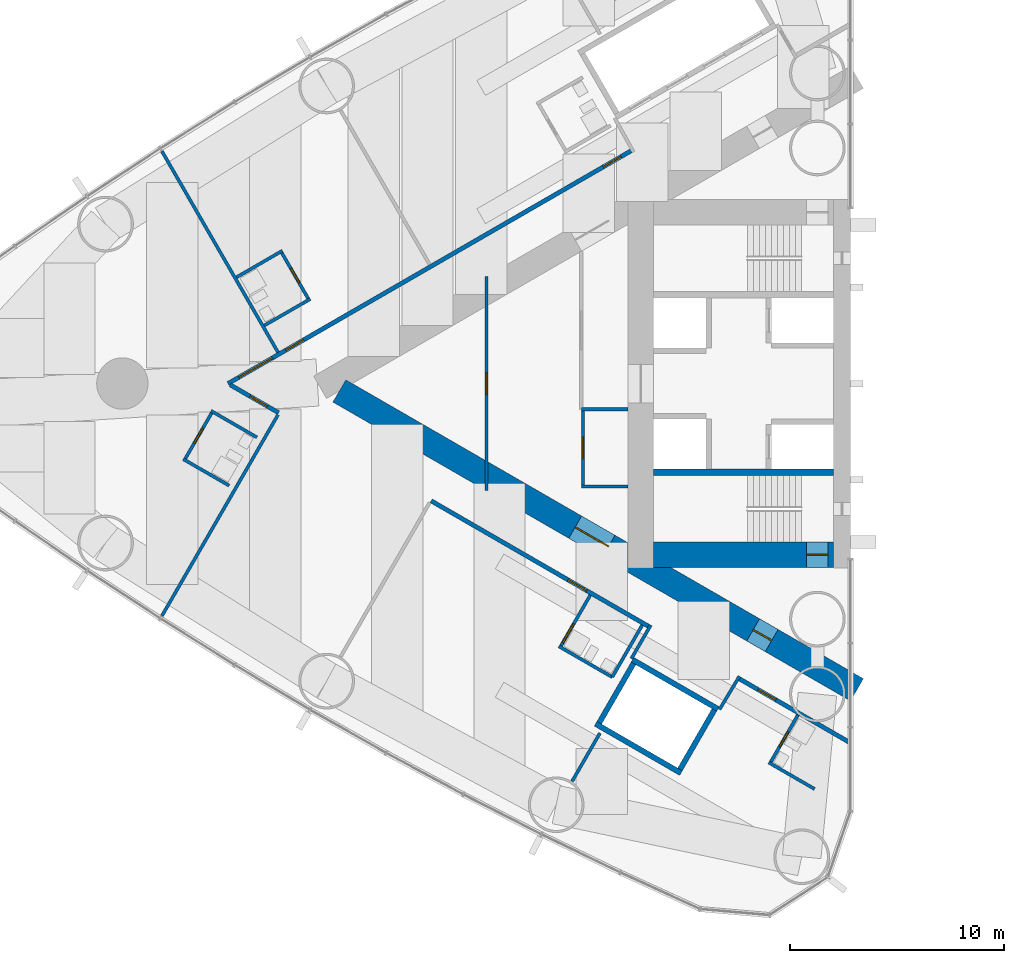
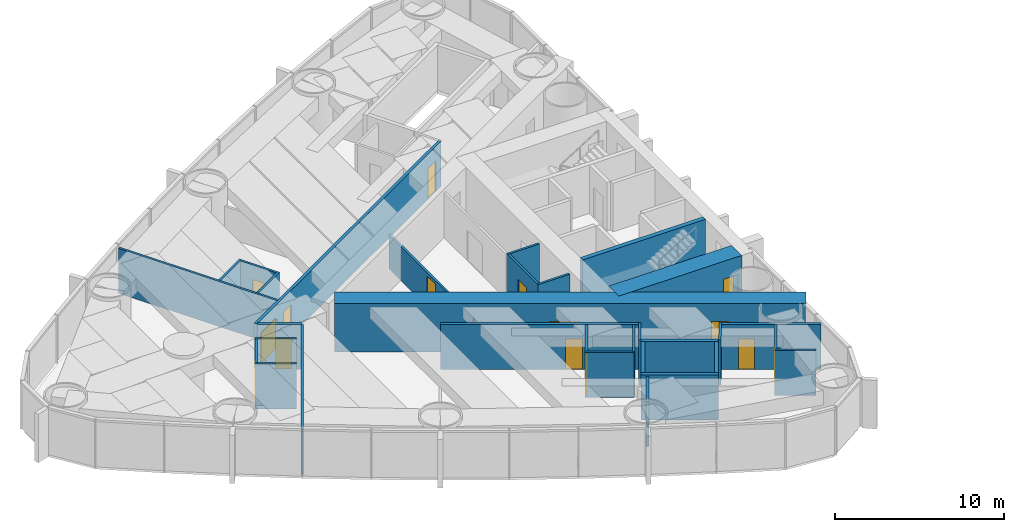
# One storey, part 11 of 18: 31 walls, 15 doors, 15 openings.
"""IFC4 building model written with IfcOpenShell, lengths in metres."""

from ifc_helpers import new_model, si_unit, direction, frame, frame_2d, origin, place, context, subcontext, project, spatial, rectangle, extrude, material, layer, layer_set, type_object, element, fill, save


model = new_model("IFC4")

# Units and contexts
model_context = context("Model", 3, precision=1e-05, world=origin(), true_north=direction((0.0, 1.0)))
body_context = subcontext(model_context, "Body", "Model", "MODEL_VIEW")
ifc_project = project(units=[si_unit("LENGTHUNIT", "METRE"), si_unit("AREAUNIT", "SQUARE_METRE"), si_unit("VOLUMEUNIT", "CUBIC_METRE"), si_unit("PLANEANGLEUNIT", "RADIAN"), si_unit("MASSUNIT", "GRAM", prefix="KILO")], contexts=[model_context])

# Site, building, storey
site_placement = place(None, origin())
site = spatial("IfcSite", under=ifc_project, at=site_placement, CompositionType="ELEMENT")
building_placement = place(site_placement, origin())
building = spatial("IfcBuilding", under=site, at=building_placement, Name="Lancet Gate Hotel", CompositionType="ELEMENT")
storey_placement = place(building_placement, frame((0.0, 0.0, 136.10009765625)))
storey = spatial("IfcBuildingStorey", under=building, at=storey_placement, Name="L36", CompositionType="ELEMENT", Elevation=136.10009765625)

# Wall
ifc_material_1 = material(Name="Moisture resistant board partition")
ifc_layer_1 = layer(ifc_material_1, 0.14990234375)
ifc_layer_set_1 = layer_set([ifc_layer_1], Name="Bathroom wall 150")
wall_type_1 = type_object("IfcWallType", Name="Bathroom wall 150", PredefinedType="PARTITIONING", material=ifc_layer_set_1)
wall_1_placement = place(storey_placement, frame((-54.02734375, 6.201416015625, 0.0), z_axis=(0.0, 0.0, 1.0), x_axis=(-0.866006523861, -0.500032699561, 0.0)))
element("IfcWall", 1, at=wall_1_placement, inside=storey, type_object=wall_type_1, Name="T1 bathroom wall 150 L36", PredefinedType="PARTITIONING", context=body_context, shape_type="SweptSolid", body=[
    extrude(rectangle(XDim=2.474853515625, YDim=0.14990234375, at=frame_2d((1.2373046875, 0.0))), origin(), (0.0, 0.0, 1.0), 3.25),
])

# Wall, opening, door
wall_2_placement = place(storey_placement, frame((-52.792236328125, 3.912109375, 0.0), z_axis=(0.0, 0.0, 1.0), x_axis=(-0.500006934395, 0.866021400173, 0.0)))
wall_2 = element("IfcWall", 2, at=wall_2_placement, inside=storey, type_object=wall_type_1, Name="T1 bathroom wall 150 L36", PredefinedType="PARTITIONING", context=body_context, shape_type="SweptSolid", body=[
    extrude(rectangle(XDim=2.60009765625, YDim=0.14990234375, at=frame_2d((1.300048828125, 0.0))), origin(), (0.0, 0.0, 1.0), 3.25),
])
opening_1_placement = place(wall_2_placement, frame((0.89990234375, 0.0, 0.0)))
opening_1 = element("IfcOpeningElement", 3, at=opening_1_placement, cuts=wall_2, Name="Opening 3603-B", PredefinedType="OPENING", context=body_context, shape_type="SweptSolid", body=[
    extrude(rectangle(XDim=0.800048828125, YDim=2.199951171875, at=frame_2d((0.39990234375, 1.10009765625))), frame((0.0, 0.0849609375, 0.0), z_axis=(0.0, -1.0, 0.0), x_axis=(1.0, 0.0, 0.0)), (0.0, 0.0, 1.0), 0.169921875),
])
ifc_material_2 = material(Name="Timber door set", Category="wood")
door_type_1 = type_object("IfcDoorType", Name="Bathroom door 800", OperationType="SINGLE_SWING_RIGHT", PredefinedType="DOOR", material=ifc_material_2)
door_1_placement = place(opening_1_placement, origin())
door_1 = element("IfcDoor", 4, at=door_1_placement, inside=storey, type_object=door_type_1, Name="3603-B", OperationType="SINGLE_SWING_RIGHT", OverallHeight=2.199951171875, OverallWidth=0.800048828125, PredefinedType="DOOR", context=body_context, shape_type="SweptSolid", body=[
    extrude(rectangle(XDim=0.800048828125, YDim=2.199951171875, at=frame_2d((0.39990234375, 1.10009765625))), frame((0.0, 0.02490234375, 0.0), z_axis=(0.0, -1.0, 0.0), x_axis=(1.0, 0.0, 0.0)), (0.0, 0.0, 1.0), 0.050048828125),
])
fill(opening_1, door_1)

# Walls
wall_3_placement = place(storey_placement, frame((-52.727294921875, 3.94970703125, 0.0), z_axis=(0.0, 0.0, 1.0), x_axis=(-0.866006523861, -0.500032699561, 0.0)))
element("IfcWall", 5, at=wall_3_placement, inside=storey, type_object=wall_type_1, Name="T1 bathroom wall 150 L36", PredefinedType="PARTITIONING", context=body_context, shape_type="SweptSolid", body=[
    extrude(rectangle(XDim=2.474853515625, YDim=0.14990234375, at=frame_2d((1.2373046875, 0.0))), origin(), (0.0, 0.0, 1.0), 3.25),
])
wall_4_placement = place(storey_placement, frame((-56.51708984375, -4.763916015625, 0.0), z_axis=(0.0, 0.0, 1.0), x_axis=(-0.866031185235, 0.4999899861, 0.0)))
element("IfcWall", 6, at=wall_4_placement, inside=storey, type_object=wall_type_1, Name="T1 bathroom wall 150 L36", PredefinedType="PARTITIONING", context=body_context, shape_type="SweptSolid", body=[
    extrude(rectangle(XDim=2.47509765625, YDim=0.14990234375, at=frame_2d((1.237548828125, 0.0))), origin(), (0.0, 0.0, 1.0), 3.25),
])

# Wall, opening, door
wall_5_placement = place(storey_placement, frame((-57.295654296875, -1.312255859375, 0.0), z_axis=(0.0, 0.0, 1.0), x_axis=(-0.49997716683, -0.86603858612, 0.0)))
wall_5 = element("IfcWall", 7, at=wall_5_placement, inside=storey, type_object=wall_type_1, Name="T1 bathroom wall 150 L36", PredefinedType="PARTITIONING", context=body_context, shape_type="SweptSolid", body=[
    extrude(rectangle(XDim=2.599609375, YDim=0.14990234375, at=frame_2d((1.2998046875, 0.0))), origin(), (0.0, 0.0, 1.0), 3.25),
])
opening_2_placement = place(wall_5_placement, frame((0.89990234375, 0.0, 0.0)))
opening_2 = element("IfcOpeningElement", 8, at=opening_2_placement, cuts=wall_5, Name="Opening 3605-B", PredefinedType="OPENING", context=body_context, shape_type="SweptSolid", body=[
    extrude(rectangle(XDim=0.800048828125, YDim=2.199951171875, at=frame_2d((0.39990234375, 1.10009765625))), frame((0.0, 0.0849609375, 0.0), z_axis=(0.0, -1.0, 0.0), x_axis=(1.0, 0.0, 0.0)), (0.0, 0.0, 1.0), 0.169921875),
])
door_2_placement = place(opening_2_placement, origin())
door_2 = element("IfcDoor", 9, at=door_2_placement, inside=storey, type_object=door_type_1, Name="3605-B", OperationType="SINGLE_SWING_RIGHT", OverallHeight=2.199951171875, OverallWidth=0.800048828125, PredefinedType="DOOR", context=body_context, shape_type="SweptSolid", body=[
    extrude(rectangle(XDim=0.800048828125, YDim=2.199951171875, at=frame_2d((0.39990234375, 1.10009765625))), frame((0.0, 0.02490234375, 0.0), z_axis=(0.0, -1.0, 0.0), x_axis=(1.0, 0.0, 0.0)), (0.0, 0.0, 1.0), 0.050048828125),
])
fill(opening_2, door_2)

# Walls
wall_6_placement = place(storey_placement, frame((-55.217041015625, -2.51220703125, 0.0), z_axis=(0.0, 0.0, 1.0), x_axis=(-0.866031185235, 0.4999899861, 0.0)))
element("IfcWall", 10, at=wall_6_placement, inside=storey, type_object=wall_type_1, Name="T1 bathroom wall 150 L36", PredefinedType="PARTITIONING", context=body_context, shape_type="SweptSolid", body=[
    extrude(rectangle(XDim=2.47509765625, YDim=0.14990234375, at=frame_2d((1.237548828125, 0.0))), origin(), (0.0, 0.0, 1.0), 3.25),
])
wall_7_placement = place(storey_placement, frame((-38.630126953125, -13.705322265625, 0.0), z_axis=(0.0, 0.0, 1.0), x_axis=(-0.866018712932, 0.500011588718, 0.0)))
element("IfcWall", 11, at=wall_7_placement, inside=storey, type_object=wall_type_1, Name="T1 bathroom wall 150 L36", PredefinedType="PARTITIONING", context=body_context, shape_type="SweptSolid", body=[
    extrude(rectangle(XDim=2.875, YDim=0.14990234375, at=frame_2d((1.4375, 0.0))), origin(), (0.0, 0.0, 1.0), 3.25),
])

# Wall, opening, door
wall_8_placement = place(storey_placement, frame((-39.65478515625, -9.88037109375, 0.0), z_axis=(0.0, 0.0, 1.0), x_axis=(-0.500049511043, -0.865996816683, 0.0)))
wall_8 = element("IfcWall", 12, at=wall_8_placement, inside=storey, type_object=wall_type_1, Name="T1 bathroom wall 150 L36", PredefinedType="PARTITIONING", context=body_context, shape_type="SweptSolid", body=[
    extrude(rectangle(XDim=2.800048828125, YDim=0.14990234375, at=frame_2d((1.39990234375, 0.0))), origin(), (0.0, 0.0, 1.0), 3.25),
])
opening_3_placement = place(wall_8_placement, frame((1.550048828125, 0.0, 0.0)))
opening_3 = element("IfcOpeningElement", 13, at=opening_3_placement, cuts=wall_8, Name="Opening 3607-B", PredefinedType="OPENING", context=body_context, shape_type="SweptSolid", body=[
    extrude(rectangle(XDim=1.0, YDim=2.199951171875, at=frame_2d((0.5, 1.10009765625))), frame((0.0, 0.0849609375, 0.0), z_axis=(0.0, -1.0, 0.0), x_axis=(1.0, 0.0, 0.0)), (0.0, 0.0, 1.0), 0.169921875),
])
ifc_material_3 = material(Name="Timber door set", Category="wood")
door_type_2 = type_object("IfcDoorType", Name="Accessible en-suite door 1000", OperationType="SINGLE_SWING_RIGHT", PredefinedType="DOOR", material=ifc_material_3)
door_3_placement = place(opening_3_placement, origin())
door_3 = element("IfcDoor", 14, at=door_3_placement, inside=storey, type_object=door_type_2, Name="3607-B", OperationType="SINGLE_SWING_RIGHT", OverallHeight=2.199951171875, OverallWidth=1.0, PredefinedType="DOOR", context=body_context, shape_type="SweptSolid", body=[
    extrude(rectangle(XDim=1.0, YDim=2.199951171875, at=frame_2d((0.5, 1.10009765625))), frame((0.0, 0.02490234375, 0.0), z_axis=(0.0, -1.0, 0.0), x_axis=(1.0, 0.0, 0.0)), (0.0, 0.0, 1.0), 0.050048828125),
])
fill(opening_3, door_3)

# Walls
wall_9_placement = place(storey_placement, frame((-37.22998046875, -11.280517578125, 0.0), z_axis=(0.0, 0.0, 1.0), x_axis=(-0.500049511043, -0.865996816683, 0.0)))
element("IfcWall", 15, at=wall_9_placement, inside=storey, type_object=wall_type_1, Name="T1 bathroom wall 150 L36", PredefinedType="PARTITIONING", context=body_context, shape_type="SweptSolid", body=[
    extrude(rectangle(XDim=2.800048828125, YDim=0.14990234375, at=frame_2d((1.39990234375, 0.0))), origin(), (0.0, 0.0, 1.0), 3.25),
])
wall_10_placement = place(storey_placement, frame((-29.181884765625, -18.92919921875, 0.0), z_axis=(0.0, 0.0, 1.0), x_axis=(-0.866006523861, 0.500032699561, 0.0)))
element("IfcWall", 16, at=wall_10_placement, inside=storey, type_object=wall_type_1, Name="T1 bathroom wall 150 L36", PredefinedType="PARTITIONING", context=body_context, shape_type="SweptSolid", body=[
    extrude(rectangle(XDim=2.474853515625, YDim=0.14990234375, at=frame_2d((1.2373046875, 0.0))), origin(), (0.0, 0.0, 1.0), 3.25),
])

# Wall, opening, door
wall_11_placement = place(storey_placement, frame((-29.960205078125, -15.4775390625, 0.0), z_axis=(0.0, 0.0, 1.0), x_axis=(-0.500006934395, -0.866021400173, 0.0)))
wall_11 = element("IfcWall", 17, at=wall_11_placement, inside=storey, type_object=wall_type_1, Name="T1 bathroom wall 150 L36", PredefinedType="PARTITIONING", context=body_context, shape_type="SweptSolid", body=[
    extrude(rectangle(XDim=2.60009765625, YDim=0.14990234375, at=frame_2d((1.300048828125, 0.0))), origin(), (0.0, 0.0, 1.0), 3.25),
])
opening_4_placement = place(wall_11_placement, frame((0.89990234375, 0.0, 0.0)))
opening_4 = element("IfcOpeningElement", 18, at=opening_4_placement, cuts=wall_11, Name="Opening 3608-B", PredefinedType="OPENING", context=body_context, shape_type="SweptSolid", body=[
    extrude(rectangle(XDim=0.800048828125, YDim=2.199951171875, at=frame_2d((0.39990234375, 1.10009765625))), frame((0.0, 0.0849609375, 0.0), z_axis=(0.0, -1.0, 0.0), x_axis=(1.0, 0.0, 0.0)), (0.0, 0.0, 1.0), 0.169921875),
])
door_4_placement = place(opening_4_placement, origin())
door_4 = element("IfcDoor", 19, at=door_4_placement, inside=storey, type_object=door_type_1, Name="3608-B", OperationType="SINGLE_SWING_RIGHT", OverallHeight=2.199951171875, OverallWidth=0.800048828125, PredefinedType="DOOR", context=body_context, shape_type="SweptSolid", body=[
    extrude(rectangle(XDim=0.800048828125, YDim=2.199951171875, at=frame_2d((0.39990234375, 1.10009765625))), frame((0.0, 0.02490234375, 0.0), z_axis=(0.0, -1.0, 0.0), x_axis=(1.0, 0.0, 0.0)), (0.0, 0.0, 1.0), 0.050048828125),
])
fill(opening_4, door_4)

# Wall, openings, doors
ifc_material_4 = material(Name="Concrete C70/85", Category="concrete")
ifc_layer_2 = layer(ifc_material_4, 1.199951171875)
ifc_layer_set_2 = layer_set([ifc_layer_2], Name="Buttress wall 1200")
wall_type_2 = type_object("IfcWallType", Name="Buttress wall 1200", PredefinedType="SHEAR", material=ifc_layer_set_2)
wall_12_placement = place(storey_placement, frame((-27.199951171875, -14.300048828125, 0.0), z_axis=(0.0, 0.0, 1.0), x_axis=(-0.866024021859, 0.500002393557, 0.0)))
wall_12 = element("IfcWall", 20, at=wall_12_placement, inside=storey, type_object=wall_type_2, Name="T1 buttress wall N L36", PredefinedType="SHEAR", context=body_context, shape_type="SweptSolid", body=[
    extrude(rectangle(XDim=27.906982421875, YDim=1.199951171875, at=frame_2d((13.95361328125, 0.0))), origin(), (0.0, 0.0, 1.0), 3.5),
])
opening_5_placement = place(wall_12_placement, frame((4.60009765625, 0.0, 0.0)))
opening_5 = element("IfcOpeningElement", 21, at=opening_5_placement, cuts=wall_12, Name="Opening T1-L36-LN", PredefinedType="OPENING", context=body_context, shape_type="SweptSolid", body=[
    extrude(rectangle(XDim=1.0, YDim=2.199951171875, at=frame_2d((0.5, 1.10009765625))), frame((0.0, 0.60986328125, 0.0), z_axis=(0.0, -1.0, 0.0), x_axis=(1.0, 0.0, 0.0)), (0.0, 0.0, 1.0), 1.219970703125),
])
opening_6_placement = place(wall_12_placement, frame((13.39453125, 0.0, 0.0)))
opening_6 = element("IfcOpeningElement", 22, at=opening_6_placement, cuts=wall_12, Name="Opening T1-L36-LHN", PredefinedType="OPENING", context=body_context, shape_type="SweptSolid", body=[
    extrude(rectangle(XDim=1.800048828125, YDim=2.199951171875, at=frame_2d((0.89990234375, 1.10009765625))), frame((0.0, 0.60986328125, 0.0), z_axis=(0.0, -1.0, 0.0), x_axis=(1.0, 0.0, 0.0)), (0.0, 0.0, 1.0), 1.219970703125),
])
ifc_material_5 = material(Name="Timber door set", Category="wood")
door_type_3 = type_object("IfcDoorType", Name="Lobby double door 1800", OperationType="DOUBLE_DOOR_SINGLE_SWING", PredefinedType="DOOR", material=ifc_material_5)
door_5_placement = place(opening_6_placement, origin())
door_5 = element("IfcDoor", 23, at=door_5_placement, inside=storey, type_object=door_type_3, Name="T1-L36-LHN", OperationType="DOUBLE_DOOR_SINGLE_SWING", OverallHeight=2.199951171875, OverallWidth=1.800048828125, PredefinedType="DOOR", context=body_context, shape_type="SweptSolid", body=[
    extrude(rectangle(XDim=1.800048828125, YDim=2.199951171875, at=frame_2d((0.89990234375, 1.10009765625))), frame((0.0, 0.02490234375, 0.0), z_axis=(0.0, -1.0, 0.0), x_axis=(1.0, 0.0, 0.0)), (0.0, 0.0, 1.0), 0.050048828125),
])
fill(opening_6, door_5)
ifc_material_6 = material(Name="Timber door set", Category="wood")
door_type_4 = type_object("IfcDoorType", Name="Stair lobby door 1000", OperationType="SINGLE_SWING_LEFT", PredefinedType="DOOR", material=ifc_material_6)
door_6_placement = place(opening_5_placement, origin())
door_6 = element("IfcDoor", 24, at=door_6_placement, inside=storey, type_object=door_type_4, Name="T1-L36-LN", OperationType="SINGLE_SWING_LEFT", OverallHeight=2.199951171875, OverallWidth=1.0, PredefinedType="DOOR", context=body_context, shape_type="SweptSolid", body=[
    extrude(rectangle(XDim=1.0, YDim=2.199951171875, at=frame_2d((0.5, 1.10009765625))), frame((0.0, 0.02490234375, 0.0), z_axis=(0.0, -1.0, 0.0), x_axis=(1.0, 0.0, 0.0)), (0.0, 0.0, 1.0), 0.050048828125),
])
fill(opening_5, door_6)

# Wall, opening, door
ifc_material_7 = material(Name="Concrete C70/85", Category="concrete")
ifc_layer_3 = layer(ifc_material_7, 1.199951171875)
ifc_layer_set_3 = layer_set([ifc_layer_3], Name="Core wall 1200")
wall_type_3 = type_object("IfcWallType", Name="Core wall 1200", PredefinedType="SHEAR", material=ifc_layer_set_3)
wall_13_placement = place(storey_placement, frame((-28.300048828125, -8.0, 0.0), z_axis=(0.0, 0.0, 1.0), x_axis=(-1.0, 0.0, 0.0)))
wall_13 = element("IfcWall", 25, at=wall_13_placement, inside=storey, type_object=wall_type_3, Name="T1 core wall side-N L36", PredefinedType="SHEAR", context=body_context, shape_type="SweptSolid", body=[
    extrude(rectangle(XDim=8.39990234375, YDim=1.199951171875, at=frame_2d((4.199951171875, 0.0))), origin(), (0.0, 0.0, 1.0), 3.5),
])
opening_7_placement = place(wall_13_placement, frame((0.25, 0.0, 0.0)))
opening_7 = element("IfcOpeningElement", 26, at=opening_7_placement, cuts=wall_13, Name="Opening T1-L36-ST2", PredefinedType="OPENING", context=body_context, shape_type="SweptSolid", body=[
    extrude(rectangle(XDim=1.0, YDim=2.199951171875, at=frame_2d((0.5, 1.10009765625))), frame((0.0, 0.60986328125, 0.0), z_axis=(0.0, -1.0, 0.0), x_axis=(1.0, 0.0, 0.0)), (0.0, 0.0, 1.0), 1.219970703125),
])
ifc_material_8 = material(Name="Timber door set", Category="wood")
door_type_5 = type_object("IfcDoorType", Name="Stair door 1000", OperationType="SINGLE_SWING_RIGHT", PredefinedType="DOOR", material=ifc_material_8)
door_7_placement = place(opening_7_placement, origin())
door_7 = element("IfcDoor", 27, at=door_7_placement, inside=storey, type_object=door_type_5, Name="T1-L36-ST2", OperationType="SINGLE_SWING_RIGHT", OverallHeight=2.199951171875, OverallWidth=1.0, PredefinedType="DOOR", context=body_context, shape_type="SweptSolid", body=[
    extrude(rectangle(XDim=1.0, YDim=2.199951171875, at=frame_2d((0.5, 1.10009765625))), frame((0.0, 0.02490234375, 0.0), z_axis=(0.0, -1.0, 0.0), x_axis=(1.0, 0.0, 0.0)), (0.0, 0.0, 1.0), 0.050048828125),
])
fill(opening_7, door_7)

# Wall, openings, doors
ifc_material_9 = material(Name="Gypsum board partition")
ifc_layer_4 = layer(ifc_material_9, 0.199951171875)
ifc_layer_set_4 = layer_set([ifc_layer_4], Name="Corridor wall 200")
wall_type_4 = type_object("IfcWallType", Name="Corridor wall 200", PredefinedType="PARTITIONING", material=ifc_layer_set_4)
wall_14_placement = place(storey_placement, frame((-37.699951171875, 10.8935546875, 0.0), z_axis=(0.0, 0.0, 1.0), x_axis=(-0.866027905338, -0.499995667157, 0.0)))
wall_14 = element("IfcWall", 28, at=wall_14_placement, inside=storey, type_object=wall_type_4, Name="T1 corridor wall 200 L36", PredefinedType="PARTITIONING", context=body_context, shape_type="SweptSolid", body=[
    extrude(rectangle(XDim=21.787353515625, YDim=0.199951171875, at=frame_2d((10.8935546875, 0.0))), origin(), (0.0, 0.0, 1.0), 3.25),
])
opening_8_placement = place(wall_14_placement, frame((17.7109375, 0.0, 0.0)))
opening_8 = element("IfcOpeningElement", 29, at=opening_8_placement, cuts=wall_14, Name="Opening 3603-E", PredefinedType="OPENING", context=body_context, shape_type="SweptSolid", body=[
    extrude(rectangle(XDim=0.949951171875, YDim=2.199951171875, at=frame_2d((0.47509765625, 1.10009765625))), frame((0.0, 0.10986328125, 0.0), z_axis=(0.0, -1.0, 0.0), x_axis=(1.0, 0.0, 0.0)), (0.0, 0.0, 1.0), 0.219970703125),
])
opening_9_placement = place(wall_14_placement, frame((19.39892578125, 0.0, 0.0)))
opening_9 = element("IfcOpeningElement", 30, at=opening_9_placement, cuts=wall_14, Name="Opening 3604-E", PredefinedType="OPENING", context=body_context, shape_type="SweptSolid", body=[
    extrude(rectangle(XDim=1.800048828125, YDim=2.199951171875, at=frame_2d((0.89990234375, 1.10009765625))), frame((0.0, 0.10986328125, 0.0), z_axis=(0.0, -1.0, 0.0), x_axis=(1.0, 0.0, 0.0)), (0.0, 0.0, 1.0), 0.219970703125),
])
opening_10_placement = place(wall_14_placement, frame((0.60009765625, 0.0, 0.0)))
opening_10 = element("IfcOpeningElement", 31, at=opening_10_placement, cuts=wall_14, Name="Opening 3602-E", PredefinedType="OPENING", context=body_context, shape_type="SweptSolid", body=[
    extrude(rectangle(XDim=0.949951171875, YDim=2.199951171875, at=frame_2d((0.47509765625, 1.10009765625))), frame((0.0, 0.10986328125, 0.0), z_axis=(0.0, -1.0, 0.0), x_axis=(1.0, 0.0, 0.0)), (0.0, 0.0, 1.0), 0.219970703125),
])
ifc_material_10 = material(Name="Timber door set", Category="wood")
door_type_6 = type_object("IfcDoorType", Name="Double door 1800", OperationType="DOUBLE_DOOR_SINGLE_SWING", PredefinedType="DOOR", material=ifc_material_10)
door_8_placement = place(opening_9_placement, origin())
door_8 = element("IfcDoor", 32, at=door_8_placement, inside=storey, type_object=door_type_6, Name="3604-E", OperationType="DOUBLE_DOOR_SINGLE_SWING", OverallHeight=2.199951171875, OverallWidth=1.800048828125, PredefinedType="DOOR", context=body_context, shape_type="SweptSolid", body=[
    extrude(rectangle(XDim=1.800048828125, YDim=2.199951171875, at=frame_2d((0.89990234375, 1.10009765625))), frame((0.0, 0.02490234375, 0.0), z_axis=(0.0, -1.0, 0.0), x_axis=(1.0, 0.0, 0.0)), (0.0, 0.0, 1.0), 0.050048828125),
])
fill(opening_9, door_8)
ifc_material_11 = material(Name="Timber door set", Category="wood")
door_type_7 = type_object("IfcDoorType", Name="Guest room entry door 950", OperationType="SINGLE_SWING_LEFT", PredefinedType="DOOR", material=ifc_material_11)
door_9_placement = place(opening_8_placement, origin())
door_9 = element("IfcDoor", 33, at=door_9_placement, inside=storey, type_object=door_type_7, Name="3603-E", OperationType="SINGLE_SWING_LEFT", OverallHeight=2.199951171875, OverallWidth=0.949951171875, PredefinedType="DOOR", context=body_context, shape_type="SweptSolid", body=[
    extrude(rectangle(XDim=0.949951171875, YDim=2.199951171875, at=frame_2d((0.47509765625, 1.10009765625))), frame((0.0, 0.02490234375, 0.0), z_axis=(0.0, -1.0, 0.0), x_axis=(1.0, 0.0, 0.0)), (0.0, 0.0, 1.0), 0.050048828125),
])
fill(opening_8, door_9)
door_10_placement = place(opening_10_placement, origin())
door_10 = element("IfcDoor", 34, at=door_10_placement, inside=storey, type_object=door_type_7, Name="3602-E", OperationType="SINGLE_SWING_LEFT", OverallHeight=2.199951171875, OverallWidth=0.949951171875, PredefinedType="DOOR", context=body_context, shape_type="SweptSolid", body=[
    extrude(rectangle(XDim=0.949951171875, YDim=2.199951171875, at=frame_2d((0.47509765625, 1.10009765625))), frame((0.0, 0.02490234375, 0.0), z_axis=(0.0, -1.0, 0.0), x_axis=(1.0, 0.0, 0.0)), (0.0, 0.0, 1.0), 0.050048828125),
])
fill(opening_10, door_10)

# Wall, opening, door
wall_15_placement = place(storey_placement, frame((-27.572021484375, -16.740966796875, 0.0), z_axis=(0.0, 0.0, 1.0), x_axis=(-0.866024464444, 0.500001626982, 0.0)))
wall_15 = element("IfcWall", 35, at=wall_15_placement, inside=storey, type_object=wall_type_4, Name="T1 corridor wall 200 L36", PredefinedType="PARTITIONING", context=body_context, shape_type="SweptSolid", body=[
    extrude(rectangle(XDim=5.955078125, YDim=0.199951171875, at=frame_2d((2.9775390625, 0.0))), origin(), (0.0, 0.0, 1.0), 3.25),
])
opening_11_placement = place(wall_15_placement, frame((3.949951171875, 0.0, 0.0)))
opening_11 = element("IfcOpeningElement", 36, at=opening_11_placement, cuts=wall_15, Name="Opening 3608-E", PredefinedType="OPENING", context=body_context, shape_type="SweptSolid", body=[
    extrude(rectangle(XDim=0.949951171875, YDim=2.199951171875, at=frame_2d((0.47509765625, 1.10009765625))), frame((0.0, 0.10986328125, 0.0), z_axis=(0.0, -1.0, 0.0), x_axis=(1.0, 0.0, 0.0)), (0.0, 0.0, 1.0), 0.219970703125),
])
door_11_placement = place(opening_11_placement, origin())
door_11 = element("IfcDoor", 37, at=door_11_placement, inside=storey, type_object=door_type_7, Name="3608-E", OperationType="SINGLE_SWING_LEFT", OverallHeight=2.199951171875, OverallWidth=0.949951171875, PredefinedType="DOOR", context=body_context, shape_type="SweptSolid", body=[
    extrude(rectangle(XDim=0.949951171875, YDim=2.199951171875, at=frame_2d((0.47509765625, 1.10009765625))), frame((0.0, 0.02490234375, 0.0), z_axis=(0.0, -1.0, 0.0), x_axis=(1.0, 0.0, 0.0)), (0.0, 0.0, 1.0), 0.050048828125),
])
fill(opening_11, door_11)

wall_16_placement = place(storey_placement, frame((-36.920166015625, -11.34375, 0.0), z_axis=(0.0, 0.0, 1.0), x_axis=(-0.866027897759, 0.499995680284, 0.0)))
wall_16 = element("IfcWall", 38, at=wall_16_placement, inside=storey, type_object=wall_type_4, Name="T1 corridor wall 200 L36", PredefinedType="PARTITIONING", context=body_context, shape_type="SweptSolid", body=[
    extrude(rectangle(XDim=11.73095703125, YDim=0.199951171875, at=frame_2d((5.865478515625, 0.0))), origin(), (0.0, 0.0, 1.0), 3.25),
])
opening_12_placement = place(wall_16_placement, frame((3.35009765625, 0.0, 0.0)))
opening_12 = element("IfcOpeningElement", 39, at=opening_12_placement, cuts=wall_16, Name="Opening 3607-E", PredefinedType="OPENING", context=body_context, shape_type="SweptSolid", body=[
    extrude(rectangle(XDim=1.0, YDim=2.199951171875, at=frame_2d((0.5, 1.10009765625))), frame((0.0, 0.10986328125, 0.0), z_axis=(0.0, -1.0, 0.0), x_axis=(1.0, 0.0, 0.0)), (0.0, 0.0, 1.0), 0.219970703125),
])
ifc_material_12 = material(Name="Timber door set", Category="wood")
door_type_8 = type_object("IfcDoorType", Name="Accessible guest room door 1000", OperationType="SINGLE_SWING_LEFT", PredefinedType="DOOR", material=ifc_material_12)
door_12_placement = place(opening_12_placement, origin())
door_12 = element("IfcDoor", 40, at=door_12_placement, inside=storey, type_object=door_type_8, Name="3607-E", OperationType="SINGLE_SWING_LEFT", OverallHeight=2.199951171875, OverallWidth=1.0, PredefinedType="DOOR", context=body_context, shape_type="SweptSolid", body=[
    extrude(rectangle(XDim=1.0, YDim=2.199951171875, at=frame_2d((0.5, 1.10009765625))), frame((0.0, 0.02490234375, 0.0), z_axis=(0.0, -1.0, 0.0), x_axis=(1.0, 0.0, 0.0)), (0.0, 0.0, 1.0), 0.050048828125),
])
fill(opening_12, door_12)

wall_17_placement = place(storey_placement, frame((-54.207275390625, -1.363037109375, 0.0), z_axis=(0.0, 0.0, 1.0), x_axis=(-0.866049872286, 0.499957616916, 0.0)))
wall_17 = element("IfcWall", 41, at=wall_17_placement, inside=storey, type_object=wall_type_4, Name="T1 corridor wall 200 L36", PredefinedType="PARTITIONING", context=body_context, shape_type="SweptSolid", body=[
    extrude(rectangle(XDim=2.606201171875, YDim=0.199951171875, at=frame_2d((1.30322265625, 0.0))), origin(), (0.0, 0.0, 1.0), 3.25),
])
opening_13_placement = place(wall_17_placement, frame((0.60009765625, 0.0, 0.0)))
opening_13 = element("IfcOpeningElement", 42, at=opening_13_placement, cuts=wall_17, Name="Opening 3605-E", PredefinedType="OPENING", context=body_context, shape_type="SweptSolid", body=[
    extrude(rectangle(XDim=0.949951171875, YDim=2.199951171875, at=frame_2d((0.47509765625, 1.10009765625))), frame((0.0, 0.10986328125, 0.0), z_axis=(0.0, -1.0, 0.0), x_axis=(1.0, 0.0, 0.0)), (0.0, 0.0, 1.0), 0.219970703125),
])
door_13_placement = place(opening_13_placement, origin())
door_13 = element("IfcDoor", 43, at=door_13_placement, inside=storey, type_object=door_type_7, Name="3605-E", OperationType="SINGLE_SWING_LEFT", OverallHeight=2.199951171875, OverallWidth=0.949951171875, PredefinedType="DOOR", context=body_context, shape_type="SweptSolid", body=[
    extrude(rectangle(XDim=0.949951171875, YDim=2.199951171875, at=frame_2d((0.47509765625, 1.10009765625))), frame((0.0, 0.02490234375, 0.0), z_axis=(0.0, -1.0, 0.0), x_axis=(1.0, 0.0, 0.0)), (0.0, 0.0, 1.0), 0.050048828125),
])
fill(opening_13, door_13)

# Walls
ifc_material_13 = material(Name="Gypsum board partition")
ifc_layer_5 = layer(ifc_material_13, 0.25)
ifc_layer_set_5 = layer_set([ifc_layer_5], Name="Lift shaft partition 250")
wall_type_5 = type_object("IfcWallType", Name="Lift shaft partition 250", PredefinedType="PARTITIONING", material=ifc_layer_set_5)
wall_18_placement = place(storey_placement, frame((-33.695556640625, -15.197265625, 0.0), z_axis=(0.0, 0.0, 1.0), x_axis=(-0.865976953817, 0.500083908417, 0.0)))
element("IfcWall", 44, at=wall_18_placement, inside=storey, type_object=wall_type_5, Name="T1 lift shaft wall EX L36", PredefinedType="PARTITIONING", context=body_context, shape_type="SweptSolid", body=[
    extrude(rectangle(XDim=4.599365234375, YDim=0.25, at=frame_2d((2.2998046875, 0.0))), origin(), (0.0, 0.0, 1.0), 3.25),
])
wall_19_placement = place(storey_placement, frame((-35.42041015625, -18.185791015625, 0.0), z_axis=(0.0, 0.0, 1.0), x_axis=(-0.865990227814, 0.50006092162, 0.0)))
element("IfcWall", 45, at=wall_19_placement, inside=storey, type_object=wall_type_5, Name="T1 lift shaft wall EX L36", PredefinedType="PARTITIONING", context=body_context, shape_type="SweptSolid", body=[
    extrude(rectangle(XDim=4.599609375, YDim=0.25, at=frame_2d((2.2998046875, 0.0))), origin(), (0.0, 0.0, 1.0), 3.25),
])
wall_20_placement = place(storey_placement, frame((-33.8662109375, -15.242919921875, 0.0), z_axis=(0.0, 0.0, 1.0), x_axis=(-0.499929347863, -0.866066190972, 0.0)))
element("IfcWall", 46, at=wall_20_placement, inside=storey, type_object=wall_type_5, Name="T1 lift shaft wall EX L36", PredefinedType="PARTITIONING", context=body_context, shape_type="SweptSolid", body=[
    extrude(rectangle(XDim=3.20068359375, YDim=0.25, at=frame_2d((1.600341796875, 0.0))), origin(), (0.0, 0.0, 1.0), 3.25),
])
wall_21_placement = place(storey_placement, frame((-37.6328125, -13.068115234375, 0.0), z_axis=(0.0, 0.0, 1.0), x_axis=(-0.499872130319, -0.866099216793, 0.0)))
element("IfcWall", 47, at=wall_21_placement, inside=storey, type_object=wall_type_5, Name="T1 lift shaft wall EX L36", PredefinedType="PARTITIONING", context=body_context, shape_type="SweptSolid", body=[
    extrude(rectangle(XDim=3.200439453125, YDim=0.25, at=frame_2d((1.60009765625, 0.0))), origin(), (0.0, 0.0, 1.0), 3.25),
])
ifc_material_14 = material(Name="Gypsum board partition")
ifc_layer_6 = layer(ifc_material_14, 0.14990234375)
ifc_layer_set_6 = layer_set([ifc_layer_6], Name="Party wall 150")
wall_type_6 = type_object("IfcWallType", Name="Party wall 150", PredefinedType="PARTITIONING", material=ifc_layer_set_6)
for number, where, z_axis, x_axis, name in (
    (48, (-54.235595703125, 1.462158203125, 0.0), (0.0, 0.0, 1.0), (-0.499990351854, 0.866030974073, 0.0), "T1 party wall 150 L36"),
    (49, (-54.235595703125, -1.462158203125, 0.0), (0.0, 0.0, 1.0), (-0.499990351854, -0.866030974073, 0.0), "T1 party wall 150 L36"),
):
    element("IfcWall", number, at=place(storey_placement, frame(where, z_axis=z_axis, x_axis=x_axis)), inside=storey, type_object=wall_type_6, Name=name, PredefinedType="PARTITIONING", context=body_context, shape_type="SweptSolid", body=[
        extrude(rectangle(XDim=10.833740234375, YDim=0.14990234375, at=frame_2d((5.4169921875, 0.0))), origin(), (0.0, 0.0, 1.0), 3.25),
    ])
wall_22_placement = place(storey_placement, frame((-39.2021484375, -16.319580078125, 0.0), z_axis=(0.0, 0.0, 1.0), x_axis=(-0.49997716683, -0.86603858612, 0.0)))
element("IfcWall", 50, at=wall_22_placement, inside=storey, type_object=wall_type_6, Name="T1 party wall 150 L36", PredefinedType="PARTITIONING", context=body_context, shape_type="SweptSolid", body=[
    extrude(rectangle(XDim=2.599609375, YDim=0.14990234375, at=frame_2d((1.2998046875, 0.0))), origin(), (0.0, 0.0, 1.0), 3.25),
])
ifc_material_15 = material(Name="Gypsum board partition")
ifc_layer_7 = layer(ifc_material_15, 0.14990234375)
ifc_layer_set_7 = layer_set([ifc_layer_7], Name="Service room wall 150")
wall_type_7 = type_object("IfcWallType", Name="Service room wall 150", PredefinedType="PARTITIONING", material=ifc_layer_set_7)
wall_23_placement = place(storey_placement, frame((-36.831298828125, -11.27978515625, 0.0), z_axis=(0.0, 0.0, 1.0), x_axis=(-0.499937177781, -0.866061671171, 0.0)))
element("IfcWall", 51, at=wall_23_placement, inside=storey, type_object=wall_type_7, Name="T1 service room wall 150 L36", PredefinedType="PARTITIONING", context=body_context, shape_type="SweptSolid", body=[
    extrude(rectangle(XDim=1.804443359375, YDim=0.14990234375, at=frame_2d((0.90234375, 0.0))), origin(), (0.0, 0.0, 1.0), 3.25),
])
wall_24_placement = place(storey_placement, frame((-33.62060546875, -15.217529296875, 0.0), z_axis=(0.0, 0.0, 1.0), x_axis=(0.514336634837, 0.857588377991, 0.0)))
element("IfcWall", 52, at=wall_24_placement, inside=storey, type_object=wall_type_7, Name="T1 service room wall 150 L36", PredefinedType="PARTITIONING", context=body_context, shape_type="SweptSolid", body=[
    extrude(rectangle(XDim=1.80517578125, YDim=0.14990234375, at=frame_2d((0.902587890625, 0.0))), origin(), (0.0, 0.0, 1.0), 3.25),
])
for number, where, z_axis, x_axis, name in (
    (53, (-37.89990234375, -1.199951171875, 0.0), (0.0, 0.0, 1.0), (-1.0, 0.0, 0.0), "T1 service room wall 150 L36"),
    (54, (-37.89990234375, -4.800048828125, 0.0), (0.0, 0.0, 1.0), (-1.0, 0.0, 0.0), "T1 service room wall 150 L36"),
):
    element("IfcWall", number, at=place(storey_placement, frame(where, z_axis=z_axis, x_axis=x_axis)), inside=storey, type_object=wall_type_7, Name=name, PredefinedType="PARTITIONING", context=body_context, shape_type="SweptSolid", body=[
        extrude(rectangle(XDim=2.175048828125, YDim=0.14990234375, at=frame_2d((1.08740234375, 0.0))), origin(), (0.0, 0.0, 1.0), 3.25),
    ])

# Wall, opening, door
wall_25_placement = place(storey_placement, frame((-40.0, -1.125, 0.0), z_axis=(0.0, 0.0, 1.0), x_axis=(0.0, -1.0, 0.0)))
wall_25 = element("IfcWall", 55, at=wall_25_placement, inside=storey, type_object=wall_type_7, Name="T1 service room wall 150 L36", PredefinedType="PARTITIONING", context=body_context, shape_type="SweptSolid", body=[
    extrude(rectangle(XDim=3.75, YDim=0.14990234375, at=frame_2d((1.875, 0.0))), origin(), (0.0, 0.0, 1.0), 3.25),
])
opening_14_placement = place(wall_25_placement, frame((1.375, 0.0, 0.0)))
opening_14 = element("IfcOpeningElement", 56, at=opening_14_placement, cuts=wall_25, Name="Opening T1-L36-HRN0", PredefinedType="OPENING", context=body_context, shape_type="SweptSolid", body=[
    extrude(rectangle(XDim=1.0, YDim=2.199951171875, at=frame_2d((0.5, 1.10009765625))), frame((0.0, 0.0849609375, 0.0), z_axis=(0.0, -1.0, 0.0), x_axis=(1.0, 0.0, 0.0)), (0.0, 0.0, 1.0), 0.169921875),
])
ifc_material_16 = material(Name="Timber door set", Category="wood")
door_type_9 = type_object("IfcDoorType", Name="Service door 1000", OperationType="SINGLE_SWING_LEFT", PredefinedType="DOOR", material=ifc_material_16)
door_14_placement = place(opening_14_placement, origin())
door_14 = element("IfcDoor", 57, at=door_14_placement, inside=storey, type_object=door_type_9, Name="T1-L36-HRN0", OperationType="SINGLE_SWING_LEFT", OverallHeight=2.199951171875, OverallWidth=1.0, PredefinedType="DOOR", context=body_context, shape_type="SweptSolid", body=[
    extrude(rectangle(XDim=1.0, YDim=2.199951171875, at=frame_2d((0.5, 1.10009765625))), frame((0.0, 0.02490234375, 0.0), z_axis=(0.0, -1.0, 0.0), x_axis=(1.0, 0.0, 0.0)), (0.0, 0.0, 1.0), 0.050048828125),
])
fill(opening_14, door_14)

wall_26_placement = place(storey_placement, frame((-44.5, 5.004638671875, 0.0), z_axis=(0.0, 0.0, 1.0), x_axis=(0.0, -1.0, 0.0)))
wall_26 = element("IfcWall", 58, at=wall_26_placement, inside=storey, type_object=wall_type_7, Name="T1 service room wall 150 L36", PredefinedType="PARTITIONING", context=body_context, shape_type="SweptSolid", body=[
    extrude(rectangle(XDim=10.00927734375, YDim=0.14990234375, at=frame_2d((5.004638671875, 0.0))), origin(), (0.0, 0.0, 1.0), 2.449951171875),
])
opening_15_placement = place(wall_26_placement, frame((4.504638671875, 0.0, 0.0)))
opening_15 = element("IfcOpeningElement", 59, at=opening_15_placement, cuts=wall_26, Name="Opening T1-L36-SV", PredefinedType="OPENING", context=body_context, shape_type="SweptSolid", body=[
    extrude(rectangle(XDim=1.0, YDim=2.199951171875, at=frame_2d((0.5, 1.10009765625))), frame((0.0, 0.0849609375, 0.0), z_axis=(0.0, -1.0, 0.0), x_axis=(1.0, 0.0, 0.0)), (0.0, 0.0, 1.0), 0.169921875),
])
door_15_placement = place(opening_15_placement, origin())
door_15 = element("IfcDoor", 60, at=door_15_placement, inside=storey, type_object=door_type_9, Name="T1-L36-SV", OperationType="SINGLE_SWING_LEFT", OverallHeight=2.199951171875, OverallWidth=1.0, PredefinedType="DOOR", context=body_context, shape_type="SweptSolid", body=[
    extrude(rectangle(XDim=1.0, YDim=2.199951171875, at=frame_2d((0.5, 1.10009765625))), frame((0.0, 0.02490234375, 0.0), z_axis=(0.0, -1.0, 0.0), x_axis=(1.0, 0.0, 0.0)), (0.0, 0.0, 1.0), 0.050048828125),
])
fill(opening_15, door_15)

# Wall
ifc_material_17 = material(Name="Concrete C50/60", Category="concrete")
ifc_layer_8 = layer(ifc_material_17, 0.300048828125)
ifc_layer_set_8 = layer_set([ifc_layer_8], Name="Stair enclosure wall 300")
wall_type_8 = type_object("IfcWallType", Name="Stair enclosure wall 300", PredefinedType="SHEAR", material=ifc_layer_set_8)
wall_27_placement = place(storey_placement, frame((-28.300048828125, -4.14990234375, 0.0), z_axis=(0.0, 0.0, 1.0), x_axis=(-1.0, 0.0, 0.0)))
element("IfcWall", 61, at=wall_27_placement, inside=storey, type_object=wall_type_8, Name="T1 core wall stair-N L36", PredefinedType="SHEAR", context=body_context, shape_type="SweptSolid", body=[
    extrude(rectangle(XDim=8.39990234375, YDim=0.300048828125, at=frame_2d((4.199951171875, 0.0))), origin(), (0.0, 0.0, 1.0), 3.5),
])

save(model, "model.ifc")
